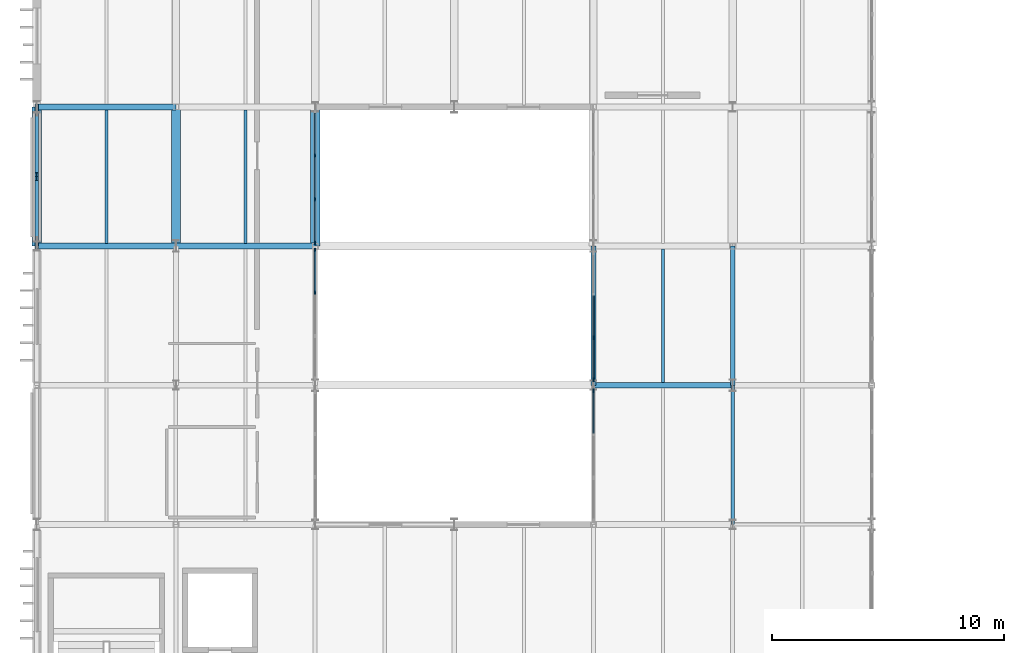
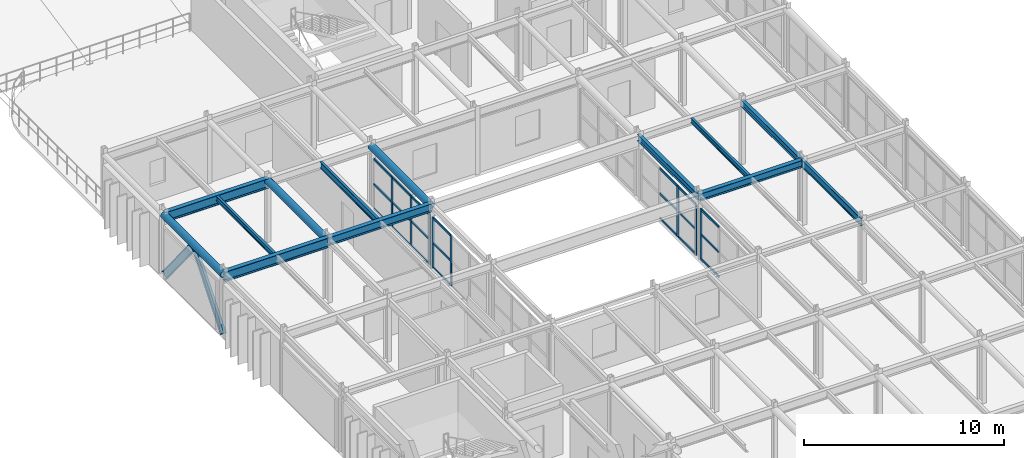
# One storey, part 14 of 83: 31 members, 13 beams, 4 elements without a shape of their own.
"""IFC4 building model written with IfcOpenShell, lengths in metres."""

from ifc_helpers import new_model, si_unit, direction, frame, origin, origin_2d, place, context, subcontext, project, spatial, rectangle, hollow_circle, i_section, extrude, material, material_profile, profile_set, type_object, element, aggregate, save


model = new_model("IFC4")

# Units and contexts
model_context = context("Model", 3, precision=1e-05, world=origin(), true_north=direction((0.0, 1.0)))
body_context = subcontext(model_context, "Body", "Model", "MODEL_VIEW")
ifc_project = project(units=[si_unit("LENGTHUNIT", "METRE"), si_unit("AREAUNIT", "SQUARE_METRE"), si_unit("VOLUMEUNIT", "CUBIC_METRE"), si_unit("PLANEANGLEUNIT", "RADIAN"), si_unit("MASSUNIT", "GRAM", prefix="KILO")], contexts=[model_context])

# Site, building, storey
site_placement = place(None, origin())
site = spatial("IfcSite", under=ifc_project, at=site_placement, CompositionType="ELEMENT")
building_placement = place(site_placement, origin())
building = spatial("IfcBuilding", under=site, at=building_placement, Name="Varnakota Square Police Headquarters", CompositionType="ELEMENT")
storey_placement = place(building_placement, frame((0.0, 0.0, 18.0)))
storey = spatial("IfcBuildingStorey", under=building, at=storey_placement, Name="L04", CompositionType="ELEMENT", Elevation=18.0)

# Beams
ifc_material_1 = material(Name="Steel IS 2062 Grade 350", Category="steel")
ifc_material_profile_1 = material_profile(ifc_material_1, hollow_circle(Radius=0.203125, WallThickness=0.01611328125, at=origin_2d()), Name="CHS 406.4x16.0")
ifc_profile_set_1 = profile_set([ifc_material_profile_1], Name="Steel IS 2062 Grade 350")
beam_type_1 = type_object("IfcBeamType", Name="BM-ARC-CHS406", PredefinedType="BEAM", material=ifc_profile_set_1)
for number, where, z_axis, x_axis, name in (
    (1, (6.0, 51.0, 3.69677734375), (0.0, 1.0, 0.0), (-1.0, 0.0, 0.0), "BMG-L04-2935"),
    (2, (12.0, 51.0, 3.69677734375), (0.0, 1.0, 0.0), (-1.0, 0.0, 0.0), "BMG-L04-2942"),
    (3, (18.0, 51.0, 3.69677734375), (0.0, 1.0, 0.0), (-1.0, 0.0, 0.0), "BMG-L04-2949"),
):
    element("IfcBeam", number, at=place(storey_placement, frame(where, z_axis=z_axis, x_axis=x_axis)), inside=storey, type_object=beam_type_1, Name=name, PredefinedType="BEAM", context=body_context, shape_type="SweptSolid", body=[
        extrude(hollow_circle(Radius=0.203125, WallThickness=0.01611328125, at=origin_2d()), origin(), (0.0, 0.0, 1.0), 6.0),
    ])
ifc_material_profile_2 = material_profile(ifc_material_1, i_section(OverallWidth=0.25, OverallDepth=0.449951171875, WebThickness=0.01123046875, FlangeThickness=0.013671875, FilletRadius=0.014892578125, at=origin_2d()), Name="ISHB 450")
ifc_profile_set_2 = profile_set([ifc_material_profile_2], Name="Steel IS 2062 Grade 350")
beam_type_2 = type_object("IfcBeamType", Name="BM-ISHB450", PredefinedType="BEAM", material=ifc_profile_set_2)
beam_1_placement = place(storey_placement, frame((30.0, 45.0, 3.675048828125), z_axis=(1.0, 0.0, 0.0), x_axis=(0.0, 1.0, 0.0)))
element("IfcBeam", 4, at=beam_1_placement, inside=storey, type_object=beam_type_2, Name="BMG-L04-2908", PredefinedType="BEAM", context=body_context, shape_type="SweptSolid", body=[
    extrude(i_section(OverallWidth=0.25, OverallDepth=0.449951171875, WebThickness=0.01123046875, FlangeThickness=0.013671875, FilletRadius=0.014892578125, at=origin_2d()), origin(), (0.0, 0.0, 1.0), 6.0),
])
ifc_material_profile_3 = material_profile(ifc_material_1, i_section(OverallWidth=0.139892578125, OverallDepth=0.300048828125, WebThickness=0.0078125, FlangeThickness=0.01318359375, FilletRadius=0.013916015625, at=origin_2d()), Name="ISMB 300")
ifc_profile_set_3 = profile_set([ifc_material_profile_3], Name="Steel IS 2062 Grade 350")
beam_type_3 = type_object("IfcBeamType", Name="BM-ISMB300", PredefinedType="JOIST", material=ifc_profile_set_3)
for number, where, z_axis, x_axis, name in (
    (5, (9.0, 51.123046875, 3.75), (0.0, 1.0, 0.0), (-1.0, 0.0, 0.0), "BMG-L04-3025"),
    (6, (33.0, 45.123046875, 3.75), (0.0, 1.0, 0.0), (-1.0, 0.0, 0.0), "BMG-L04-3045"),
):
    element("IfcBeam", number, at=place(storey_placement, frame(where, z_axis=z_axis, x_axis=x_axis)), inside=storey, type_object=beam_type_3, Name=name, PredefinedType="JOIST", context=body_context, shape_type="SweptSolid", body=[
        extrude(i_section(OverallWidth=0.139892578125, OverallDepth=0.300048828125, WebThickness=0.0078125, FlangeThickness=0.01318359375, FilletRadius=0.013916015625, at=origin_2d()), origin(), (0.0, 0.0, 1.0), 5.75390625),
    ])
ifc_material_profile_4 = material_profile(ifc_material_1, i_section(OverallWidth=0.139892578125, OverallDepth=0.39990234375, WebThickness=0.0087890625, FlangeThickness=0.01611328125, FilletRadius=0.013916015625, at=origin_2d()), Name="ISMB 400")
ifc_profile_set_4 = profile_set([ifc_material_profile_4], Name="Steel IS 2062 Grade 350")
beam_type_4 = type_object("IfcBeamType", Name="BM-ISMB400", PredefinedType="JOIST", material=ifc_profile_set_4)
beam_2_placement = place(storey_placement, frame((15.0, 51.123046875, 3.699951171875), z_axis=(0.0, 1.0, 0.0), x_axis=(-1.0, 0.0, 0.0)))
element("IfcBeam", 7, at=beam_2_placement, inside=storey, type_object=beam_type_4, Name="BMG-L04-3031", PredefinedType="JOIST", context=body_context, shape_type="SweptSolid", body=[
    extrude(i_section(OverallWidth=0.139892578125, OverallDepth=0.39990234375, WebThickness=0.0087890625, FlangeThickness=0.01611328125, FilletRadius=0.013916015625, at=origin_2d()), origin(), (0.0, 0.0, 1.0), 5.75390625),
])
ifc_material_profile_5 = material_profile(ifc_material_1, i_section(OverallWidth=0.14990234375, OverallDepth=0.449951171875, WebThickness=0.009521484375, FlangeThickness=0.017333984375, FilletRadius=0.014892578125, at=origin_2d()), Name="ISMB 450")
ifc_profile_set_5 = profile_set([ifc_material_profile_5], Name="Steel IS 2062 Grade 350")
beam_type_5 = type_object("IfcBeamType", Name="BM-ISMB450", PredefinedType="BEAM", material=ifc_profile_set_5)
beam_3_placement = place(storey_placement, frame((36.0, 39.0, 3.675048828125), z_axis=(0.0, 1.0, 0.0), x_axis=(-1.0, 0.0, 0.0)))
element("IfcBeam", 8, at=beam_3_placement, inside=storey, type_object=beam_type_5, Name="BMG-L04-2965", PredefinedType="BEAM", context=body_context, shape_type="SweptSolid", body=[
    extrude(i_section(OverallWidth=0.14990234375, OverallDepth=0.449951171875, WebThickness=0.009521484375, FlangeThickness=0.017333984375, FilletRadius=0.014892578125, at=origin_2d()), origin(), (0.0, 0.0, 1.0), 6.0),
])
ifc_material_profile_6 = material_profile(ifc_material_1, i_section(OverallWidth=0.199951171875, OverallDepth=0.39990234375, WebThickness=0.008544921875, FlangeThickness=0.012939453125, FilletRadius=0.012939453125, at=origin_2d()), Name="ISWB 400")
ifc_profile_set_6 = profile_set([ifc_material_profile_6], Name="Steel IS 2062 Grade 350")
beam_type_6 = type_object("IfcBeamType", Name="BM-ISWB400", PredefinedType="BEAM", material=ifc_profile_set_6)
for number, where, z_axis, x_axis, name in (
    (9, (30.0, 45.0, 3.699951171875), (0.0, 1.0, 0.0), (-1.0, 0.0, 0.0), "BMG-L04-2959"),
    (10, (36.0, 45.0, 3.699951171875), (0.0, 1.0, 0.0), (-1.0, 0.0, 0.0), "BMG-L04-2966"),
):
    element("IfcBeam", number, at=place(storey_placement, frame(where, z_axis=z_axis, x_axis=x_axis)), inside=storey, type_object=beam_type_6, Name=name, PredefinedType="BEAM", context=body_context, shape_type="SweptSolid", body=[
        extrude(i_section(OverallWidth=0.199951171875, OverallDepth=0.39990234375, WebThickness=0.008544921875, FlangeThickness=0.012939453125, FilletRadius=0.012939453125, at=origin_2d()), origin(), (0.0, 0.0, 1.0), 6.0),
    ])
ifc_material_profile_7 = material_profile(ifc_material_1, i_section(OverallWidth=0.25, OverallDepth=0.5, WebThickness=0.010009765625, FlangeThickness=0.0146484375, FilletRadius=0.014892578125, at=origin_2d()), Name="ISWB 500")
ifc_profile_set_7 = profile_set([ifc_material_profile_7], Name="Steel IS 2062 Grade 350")
beam_type_7 = type_object("IfcBeamType", Name="BM-ISWB500", PredefinedType="BEAM", material=ifc_profile_set_7)
beam_4_placement = place(storey_placement, frame((12.0, 51.0, 3.64990234375), z_axis=(1.0, 0.0, 0.0), x_axis=(0.0, 1.0, 0.0)))
element("IfcBeam", 11, at=beam_4_placement, inside=storey, type_object=beam_type_7, Name="BMG-L04-2914", PredefinedType="BEAM", context=body_context, shape_type="SweptSolid", body=[
    extrude(i_section(OverallWidth=0.25, OverallDepth=0.5, WebThickness=0.010009765625, FlangeThickness=0.0146484375, FilletRadius=0.014892578125, at=origin_2d()), origin(), (0.0, 0.0, 1.0), 6.0),
])
ifc_material_profile_8 = material_profile(ifc_material_1, i_section(OverallWidth=0.25, OverallDepth=0.60009765625, WebThickness=0.01171875, FlangeThickness=0.023681640625, FilletRadius=0.01708984375, at=origin_2d()), Name="ISWB 600")
ifc_profile_set_8 = profile_set([ifc_material_profile_8], Name="Steel IS 2062 Grade 350")
beam_type_8 = type_object("IfcBeamType", Name="BM-ISWB600", PredefinedType="BEAM", material=ifc_profile_set_8)
for number, where, z_axis, x_axis, name in (
    (12, (6.0, 51.0, 3.60009765625), (1.0, 0.0, 0.0), (0.0, 1.0, 0.0), "BMG-L04-2913"),
    (13, (6.0, 57.0, 3.60009765625), (1.0, 0.0, 0.0), (0.0, 1.0, 0.0), "BMG-L04-2918"),
):
    element("IfcBeam", number, at=place(storey_placement, frame(where, z_axis=z_axis, x_axis=x_axis)), inside=storey, type_object=beam_type_8, Name=name, PredefinedType="BEAM", context=body_context, shape_type="SweptSolid", body=[
        extrude(i_section(OverallWidth=0.25, OverallDepth=0.60009765625, WebThickness=0.01171875, FlangeThickness=0.023681640625, FilletRadius=0.01708984375, at=origin_2d()), origin(), (0.0, 0.0, 1.0), 6.0),
    ])

# Curtain wall, member
ifc_material_2 = material(Name="Anodised Aluminium Framing", Category="aluminium")
curtain_wall_type = type_object("IfcCurtainWallType", Name="CW-SYS-F", PredefinedType="NOTDEFINED", material=ifc_material_2)
curtain_wall_1_placement = place(storey_placement, origin())
curtain_wall_1 = element("IfcCurtainWall", 14, at=curtain_wall_1_placement, inside=storey, type_object=curtain_wall_type, Name="Unitised curtain wall CWG-L04-187", PredefinedType="NOTDEFINED")
ifc_material_3 = material(Name="Anodised Aluminium 6063-T6", Category="aluminium")
ifc_material_profile_9 = material_profile(ifc_material_3, rectangle(XDim=0.06494140625, YDim=0.159912109375, at=origin_2d()), Name="ALU MULLION 65x160")
ifc_profile_set_9 = profile_set([ifc_material_profile_9], Name="Anodised Aluminium 6063-T6")
member_type_1 = type_object("IfcMemberType", Name="CWM-150", PredefinedType="MULLION", material=ifc_profile_set_9)
member_1_placement = place(storey_placement, frame((30.0, 44.762451171875, 0.0), z_axis=(0.0, 0.0, 1.0), x_axis=(-1.0, 0.0, 0.0)))
member_1 = element("IfcMember", 15, at=member_1_placement, type_object=member_type_1, Name="CWG-L04-187 mullion 4", PredefinedType="MULLION", context=body_context, shape_type="SweptSolid", body=[
    extrude(rectangle(XDim=0.06494140625, YDim=0.159912109375, at=origin_2d()), origin(), (0.0, 0.0, 1.0), 3.090087890625),
])

# Curtain wall, members
curtain_wall_2_placement = place(storey_placement, origin())
curtain_wall_2 = element("IfcCurtainWall", 16, at=curtain_wall_2_placement, inside=storey, type_object=curtain_wall_type, Name="Unitised curtain wall CWG-L04-188", PredefinedType="NOTDEFINED")
member_2_placement = place(storey_placement, frame((18.0, 48.998291015625, 0.0), z_axis=(0.0, 0.0, 1.0), x_axis=(-1.0, 0.0, 0.0)))
member_2 = element("IfcMember", 17, at=member_2_placement, type_object=member_type_1, Name="CWG-L04-188 mullion 3", PredefinedType="MULLION", context=body_context, shape_type="SweptSolid", body=[
    extrude(rectangle(XDim=0.06494140625, YDim=0.159912109375, at=origin_2d()), origin(), (0.0, 0.0, 1.0), 3.090087890625),
])
member_3_placement = place(storey_placement, frame((18.0, 50.83740234375, 0.0), z_axis=(0.0, 0.0, 1.0), x_axis=(-1.0, 0.0, 0.0)))
member_3 = element("IfcMember", 18, at=member_3_placement, type_object=member_type_1, Name="CWG-L04-188 mullion 4", PredefinedType="MULLION", context=body_context, shape_type="SweptSolid", body=[
    extrude(rectangle(XDim=0.06494140625, YDim=0.159912109375, at=origin_2d()), origin(), (0.0, 0.0, 1.0), 3.090087890625),
])

curtain_wall_3_placement = place(storey_placement, origin())
curtain_wall_3 = element("IfcCurtainWall", 19, at=curtain_wall_3_placement, inside=storey, type_object=curtain_wall_type, Name="Unitised curtain wall CWG-L04-189", PredefinedType="NOTDEFINED")
member_4_placement = place(storey_placement, frame((30.0, 45.237548828125, 0.0), z_axis=(0.0, 0.0, 1.0), x_axis=(-1.0, 0.0, 0.0)))
member_4 = element("IfcMember", 20, at=member_4_placement, type_object=member_type_1, Name="CWG-L04-189 mullion 1", PredefinedType="MULLION", context=body_context, shape_type="SweptSolid", body=[
    extrude(rectangle(XDim=0.06494140625, YDim=0.159912109375, at=origin_2d()), origin(), (0.0, 0.0, 1.0), 3.090087890625),
])
member_5_placement = place(storey_placement, frame((30.0, 47.0517578125, 0.0), z_axis=(0.0, 0.0, 1.0), x_axis=(-1.0, 0.0, 0.0)))
member_5 = element("IfcMember", 21, at=member_5_placement, type_object=member_type_1, Name="CWG-L04-189 mullion 2", PredefinedType="MULLION", context=body_context, shape_type="SweptSolid", body=[
    extrude(rectangle(XDim=0.06494140625, YDim=0.159912109375, at=origin_2d()), origin(), (0.0, 0.0, 1.0), 3.090087890625),
])

curtain_wall_4_placement = place(storey_placement, origin())
curtain_wall_4 = element("IfcCurtainWall", 22, at=curtain_wall_4_placement, inside=storey, type_object=curtain_wall_type, Name="Unitised curtain wall CWG-L04-190", PredefinedType="NOTDEFINED")
member_6_placement = place(storey_placement, frame((18.0, 51.16259765625, 0.0), z_axis=(0.0, 0.0, 1.0), x_axis=(-1.0, 0.0, 0.0)))
member_6 = element("IfcMember", 23, at=member_6_placement, type_object=member_type_1, Name="CWG-L04-190 mullion 1", PredefinedType="MULLION", context=body_context, shape_type="SweptSolid", body=[
    extrude(rectangle(XDim=0.06494140625, YDim=0.159912109375, at=origin_2d()), origin(), (0.0, 0.0, 1.0), 3.090087890625),
])
member_7_placement = place(storey_placement, frame((18.0, 53.018310546875, 0.0), z_axis=(0.0, 0.0, 1.0), x_axis=(-1.0, 0.0, 0.0)))
member_7 = element("IfcMember", 24, at=member_7_placement, type_object=member_type_1, Name="CWG-L04-190 mullion 2", PredefinedType="MULLION", context=body_context, shape_type="SweptSolid", body=[
    extrude(rectangle(XDim=0.06494140625, YDim=0.159912109375, at=origin_2d()), origin(), (0.0, 0.0, 1.0), 3.090087890625),
])
member_8_placement = place(storey_placement, frame((18.0, 54.90673828125, 0.0), z_axis=(0.0, 0.0, 1.0), x_axis=(-1.0, 0.0, 0.0)))
member_8 = element("IfcMember", 25, at=member_8_placement, type_object=member_type_1, Name="CWG-L04-190 mullion 3", PredefinedType="MULLION", context=body_context, shape_type="SweptSolid", body=[
    extrude(rectangle(XDim=0.06494140625, YDim=0.159912109375, at=origin_2d()), origin(), (0.0, 0.0, 1.0), 3.090087890625),
])

# Member
ifc_material_profile_10 = material_profile(ifc_material_3, rectangle(XDim=0.06494140625, YDim=0.1298828125, at=origin_2d()), Name="ALU TRANSOM 65x130")
ifc_profile_set_10 = profile_set([ifc_material_profile_10], Name="Anodised Aluminium 6063-T6")
member_type_2 = type_object("IfcMemberType", Name="CWT-120", PredefinedType="USERDEFINED", material=ifc_profile_set_10)
member_9_placement = place(storey_placement, frame((30.0, 42.939208984375, 0.032470703125), z_axis=(0.0, 1.0, 0.0), x_axis=(-1.0, 0.0, 0.0)))
member_9 = element("IfcMember", 26, at=member_9_placement, type_object=member_type_2, Name="CWG-L04-187 transom 3.1", ObjectType="TRANSOM", PredefinedType="USERDEFINED", context=body_context, shape_type="SweptSolid", body=[
    extrude(rectangle(XDim=0.06494140625, YDim=0.1298828125, at=origin_2d()), origin(), (0.0, 0.0, 1.0), 1.790771484375),
])

member_10_placement = place(storey_placement, frame((30.0, 42.939208984375, 1.544921875), z_axis=(0.0, 1.0, 0.0), x_axis=(-1.0, 0.0, 0.0)))
member_10 = element("IfcMember", 27, at=member_10_placement, type_object=member_type_2, Name="CWG-L04-187 transom 3.2", ObjectType="TRANSOM", PredefinedType="USERDEFINED", context=body_context, shape_type="SweptSolid", body=[
    extrude(rectangle(XDim=0.06494140625, YDim=0.1298828125, at=origin_2d()), origin(), (0.0, 0.0, 1.0), 1.790771484375),
])

member_11_placement = place(storey_placement, frame((30.0, 42.939208984375, 3.0576171875), z_axis=(0.0, 1.0, 0.0), x_axis=(-1.0, 0.0, 0.0)))
member_11 = element("IfcMember", 28, at=member_11_placement, type_object=member_type_2, Name="CWG-L04-187 transom 3.3", ObjectType="TRANSOM", PredefinedType="USERDEFINED", context=body_context, shape_type="SweptSolid", body=[
    extrude(rectangle(XDim=0.06494140625, YDim=0.1298828125, at=origin_2d()), origin(), (0.0, 0.0, 1.0), 1.790771484375),
])

aggregate(curtain_wall_1, [member_1, member_9, member_10, member_11])

member_12_placement = place(storey_placement, frame((18.0, 49.03076171875, 0.032470703125), z_axis=(0.0, 1.0, 0.0), x_axis=(-1.0, 0.0, 0.0)))
member_12 = element("IfcMember", 29, at=member_12_placement, type_object=member_type_2, Name="CWG-L04-188 transom 3.1", ObjectType="TRANSOM", PredefinedType="USERDEFINED", context=body_context, shape_type="SweptSolid", body=[
    extrude(rectangle(XDim=0.06494140625, YDim=0.1298828125, at=origin_2d()), origin(), (0.0, 0.0, 1.0), 1.774169921875),
])

member_13_placement = place(storey_placement, frame((18.0, 49.03076171875, 1.544921875), z_axis=(0.0, 1.0, 0.0), x_axis=(-1.0, 0.0, 0.0)))
member_13 = element("IfcMember", 30, at=member_13_placement, type_object=member_type_2, Name="CWG-L04-188 transom 3.2", ObjectType="TRANSOM", PredefinedType="USERDEFINED", context=body_context, shape_type="SweptSolid", body=[
    extrude(rectangle(XDim=0.06494140625, YDim=0.1298828125, at=origin_2d()), origin(), (0.0, 0.0, 1.0), 1.774169921875),
])

member_14_placement = place(storey_placement, frame((18.0, 49.03076171875, 3.0576171875), z_axis=(0.0, 1.0, 0.0), x_axis=(-1.0, 0.0, 0.0)))
member_14 = element("IfcMember", 31, at=member_14_placement, type_object=member_type_2, Name="CWG-L04-188 transom 3.3", ObjectType="TRANSOM", PredefinedType="USERDEFINED", context=body_context, shape_type="SweptSolid", body=[
    extrude(rectangle(XDim=0.06494140625, YDim=0.1298828125, at=origin_2d()), origin(), (0.0, 0.0, 1.0), 1.774169921875),
])

aggregate(curtain_wall_2, [member_2, member_3, member_12, member_13, member_14])

member_15_placement = place(storey_placement, frame((30.0, 45.27001953125, 0.032470703125), z_axis=(0.0, 1.0, 0.0), x_axis=(-1.0, 0.0, 0.0)))
member_15 = element("IfcMember", 32, at=member_15_placement, type_object=member_type_2, Name="CWG-L04-189 transom 1.1", ObjectType="TRANSOM", PredefinedType="USERDEFINED", context=body_context, shape_type="SweptSolid", body=[
    extrude(rectangle(XDim=0.06494140625, YDim=0.1298828125, at=origin_2d()), origin(), (0.0, 0.0, 1.0), 1.749267578125),
])

member_16_placement = place(storey_placement, frame((30.0, 45.27001953125, 1.544921875), z_axis=(0.0, 1.0, 0.0), x_axis=(-1.0, 0.0, 0.0)))
member_16 = element("IfcMember", 33, at=member_16_placement, type_object=member_type_2, Name="CWG-L04-189 transom 1.2", ObjectType="TRANSOM", PredefinedType="USERDEFINED", context=body_context, shape_type="SweptSolid", body=[
    extrude(rectangle(XDim=0.06494140625, YDim=0.1298828125, at=origin_2d()), origin(), (0.0, 0.0, 1.0), 1.749267578125),
])

member_17_placement = place(storey_placement, frame((30.0, 45.27001953125, 3.0576171875), z_axis=(0.0, 1.0, 0.0), x_axis=(-1.0, 0.0, 0.0)))
member_17 = element("IfcMember", 34, at=member_17_placement, type_object=member_type_2, Name="CWG-L04-189 transom 1.3", ObjectType="TRANSOM", PredefinedType="USERDEFINED", context=body_context, shape_type="SweptSolid", body=[
    extrude(rectangle(XDim=0.06494140625, YDim=0.1298828125, at=origin_2d()), origin(), (0.0, 0.0, 1.0), 1.749267578125),
])

member_18_placement = place(storey_placement, frame((30.0, 47.084228515625, 0.032470703125), z_axis=(0.0, 1.0, 0.0), x_axis=(-1.0, 0.0, 0.0)))
member_18 = element("IfcMember", 35, at=member_18_placement, type_object=member_type_2, Name="CWG-L04-189 transom 2.1", ObjectType="TRANSOM", PredefinedType="USERDEFINED", context=body_context, shape_type="SweptSolid", body=[
    extrude(rectangle(XDim=0.06494140625, YDim=0.1298828125, at=origin_2d()), origin(), (0.0, 0.0, 1.0), 1.781494140625),
])

member_19_placement = place(storey_placement, frame((30.0, 47.084228515625, 1.544921875), z_axis=(0.0, 1.0, 0.0), x_axis=(-1.0, 0.0, 0.0)))
member_19 = element("IfcMember", 36, at=member_19_placement, type_object=member_type_2, Name="CWG-L04-189 transom 2.2", ObjectType="TRANSOM", PredefinedType="USERDEFINED", context=body_context, shape_type="SweptSolid", body=[
    extrude(rectangle(XDim=0.06494140625, YDim=0.1298828125, at=origin_2d()), origin(), (0.0, 0.0, 1.0), 1.781494140625),
])

member_20_placement = place(storey_placement, frame((30.0, 47.084228515625, 3.0576171875), z_axis=(0.0, 1.0, 0.0), x_axis=(-1.0, 0.0, 0.0)))
member_20 = element("IfcMember", 37, at=member_20_placement, type_object=member_type_2, Name="CWG-L04-189 transom 2.3", ObjectType="TRANSOM", PredefinedType="USERDEFINED", context=body_context, shape_type="SweptSolid", body=[
    extrude(rectangle(XDim=0.06494140625, YDim=0.1298828125, at=origin_2d()), origin(), (0.0, 0.0, 1.0), 1.781494140625),
])

aggregate(curtain_wall_3, [member_4, member_5, member_15, member_16, member_17, member_18, member_19, member_20])

member_21_placement = place(storey_placement, frame((18.0, 51.195068359375, 0.032470703125), z_axis=(0.0, 1.0, 0.0), x_axis=(-1.0, 0.0, 0.0)))
member_21 = element("IfcMember", 38, at=member_21_placement, type_object=member_type_2, Name="CWG-L04-190 transom 1.1", ObjectType="TRANSOM", PredefinedType="USERDEFINED", context=body_context, shape_type="SweptSolid", body=[
    extrude(rectangle(XDim=0.06494140625, YDim=0.1298828125, at=origin_2d()), origin(), (0.0, 0.0, 1.0), 1.790771484375),
])

member_22_placement = place(storey_placement, frame((18.0, 51.195068359375, 1.544921875), z_axis=(0.0, 1.0, 0.0), x_axis=(-1.0, 0.0, 0.0)))
member_22 = element("IfcMember", 39, at=member_22_placement, type_object=member_type_2, Name="CWG-L04-190 transom 1.2", ObjectType="TRANSOM", PredefinedType="USERDEFINED", context=body_context, shape_type="SweptSolid", body=[
    extrude(rectangle(XDim=0.06494140625, YDim=0.1298828125, at=origin_2d()), origin(), (0.0, 0.0, 1.0), 1.790771484375),
])

member_23_placement = place(storey_placement, frame((18.0, 51.195068359375, 3.0576171875), z_axis=(0.0, 1.0, 0.0), x_axis=(-1.0, 0.0, 0.0)))
member_23 = element("IfcMember", 40, at=member_23_placement, type_object=member_type_2, Name="CWG-L04-190 transom 1.3", ObjectType="TRANSOM", PredefinedType="USERDEFINED", context=body_context, shape_type="SweptSolid", body=[
    extrude(rectangle(XDim=0.06494140625, YDim=0.1298828125, at=origin_2d()), origin(), (0.0, 0.0, 1.0), 1.790771484375),
])

member_24_placement = place(storey_placement, frame((18.0, 53.05078125, 0.032470703125), z_axis=(0.0, 1.0, 0.0), x_axis=(-1.0, 0.0, 0.0)))
member_24 = element("IfcMember", 41, at=member_24_placement, type_object=member_type_2, Name="CWG-L04-190 transom 2.1", ObjectType="TRANSOM", PredefinedType="USERDEFINED", context=body_context, shape_type="SweptSolid", body=[
    extrude(rectangle(XDim=0.06494140625, YDim=0.1298828125, at=origin_2d()), origin(), (0.0, 0.0, 1.0), 1.823486328125),
])

member_25_placement = place(storey_placement, frame((18.0, 53.05078125, 1.544921875), z_axis=(0.0, 1.0, 0.0), x_axis=(-1.0, 0.0, 0.0)))
member_25 = element("IfcMember", 42, at=member_25_placement, type_object=member_type_2, Name="CWG-L04-190 transom 2.2", ObjectType="TRANSOM", PredefinedType="USERDEFINED", context=body_context, shape_type="SweptSolid", body=[
    extrude(rectangle(XDim=0.06494140625, YDim=0.1298828125, at=origin_2d()), origin(), (0.0, 0.0, 1.0), 1.823486328125),
])

member_26_placement = place(storey_placement, frame((18.0, 53.05078125, 3.0576171875), z_axis=(0.0, 1.0, 0.0), x_axis=(-1.0, 0.0, 0.0)))
member_26 = element("IfcMember", 43, at=member_26_placement, type_object=member_type_2, Name="CWG-L04-190 transom 2.3", ObjectType="TRANSOM", PredefinedType="USERDEFINED", context=body_context, shape_type="SweptSolid", body=[
    extrude(rectangle(XDim=0.06494140625, YDim=0.1298828125, at=origin_2d()), origin(), (0.0, 0.0, 1.0), 1.823486328125),
])

member_27_placement = place(storey_placement, frame((18.0, 54.939208984375, 0.032470703125), z_axis=(0.0, 1.0, 0.0), x_axis=(-1.0, 0.0, 0.0)))
member_27 = element("IfcMember", 44, at=member_27_placement, type_object=member_type_2, Name="CWG-L04-190 transom 3.1", ObjectType="TRANSOM", PredefinedType="USERDEFINED", context=body_context, shape_type="SweptSolid", body=[
    extrude(rectangle(XDim=0.06494140625, YDim=0.1298828125, at=origin_2d()), origin(), (0.0, 0.0, 1.0), 1.790771484375),
])

member_28_placement = place(storey_placement, frame((18.0, 54.939208984375, 1.544921875), z_axis=(0.0, 1.0, 0.0), x_axis=(-1.0, 0.0, 0.0)))
member_28 = element("IfcMember", 45, at=member_28_placement, type_object=member_type_2, Name="CWG-L04-190 transom 3.2", ObjectType="TRANSOM", PredefinedType="USERDEFINED", context=body_context, shape_type="SweptSolid", body=[
    extrude(rectangle(XDim=0.06494140625, YDim=0.1298828125, at=origin_2d()), origin(), (0.0, 0.0, 1.0), 1.790771484375),
])

member_29_placement = place(storey_placement, frame((18.0, 54.939208984375, 3.0576171875), z_axis=(0.0, 1.0, 0.0), x_axis=(-1.0, 0.0, 0.0)))
member_29 = element("IfcMember", 46, at=member_29_placement, type_object=member_type_2, Name="CWG-L04-190 transom 3.3", ObjectType="TRANSOM", PredefinedType="USERDEFINED", context=body_context, shape_type="SweptSolid", body=[
    extrude(rectangle(XDim=0.06494140625, YDim=0.1298828125, at=origin_2d()), origin(), (0.0, 0.0, 1.0), 1.790771484375),
])

aggregate(curtain_wall_4, [member_6, member_7, member_8, member_21, member_22, member_23, member_24, member_25, member_26, member_27, member_28, member_29])

# Members
ifc_material_profile_11 = material_profile(ifc_material_1, i_section(OverallWidth=0.14990234375, OverallDepth=0.449951171875, WebThickness=0.009521484375, FlangeThickness=0.017333984375, FilletRadius=0.014892578125, at=origin_2d()), Name="ISMB 450")
ifc_profile_set_11 = profile_set([ifc_material_profile_11], Name="Steel IS 2062 Grade 350")
member_type_3 = type_object("IfcMemberType", Name="MEM-BR-ISMB450", PredefinedType="BRACE", material=ifc_profile_set_11)
for number, where, z_axis, x_axis, name in (
    (47, (6.0, 51.050048828125, 0.02001953125), (0.0, 0.630679081609, 0.776043746203), (-1.0, 0.0, 0.0), "Lateral brace BF4 L04 left"),
    (48, (6.0, 56.949951171875, 0.02001953125), (0.0, -0.630679081609, 0.776043746203), (1.0, 0.0, 0.0), "Lateral brace BF4 L04 right"),
):
    element("IfcMember", number, at=place(storey_placement, frame(where, z_axis=z_axis, x_axis=x_axis)), inside=storey, type_object=member_type_3, Name=name, PredefinedType="BRACE", context=body_context, shape_type="SweptSolid", body=[
        extrude(i_section(OverallWidth=0.14990234375, OverallDepth=0.449951171875, WebThickness=0.009521484375, FlangeThickness=0.017333984375, FilletRadius=0.014892578125, at=origin_2d()), origin(), (0.0, 0.0, 1.0), 4.677490234375),
    ])

save(model, "model.ifc")
